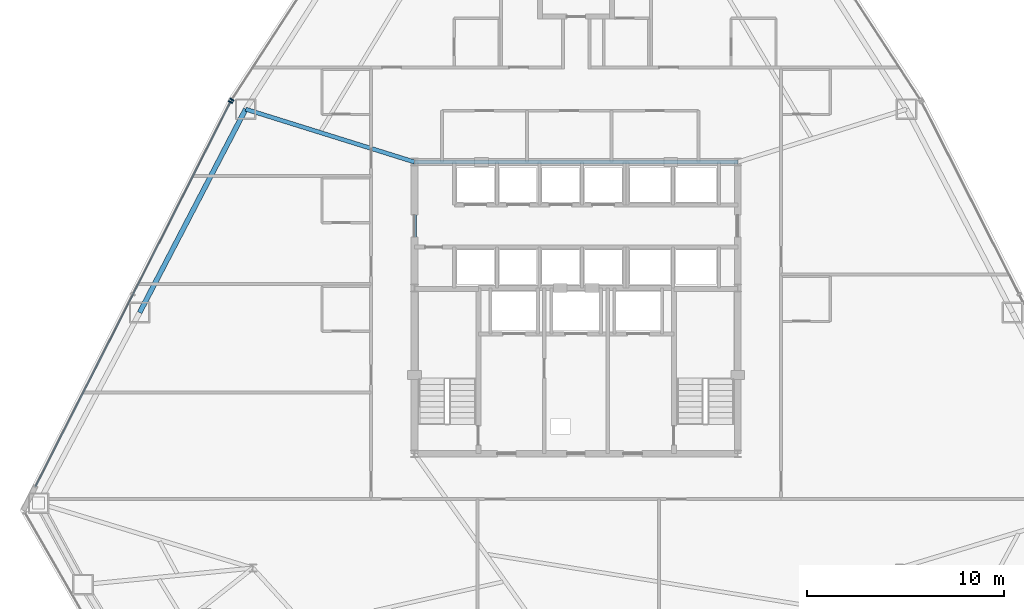
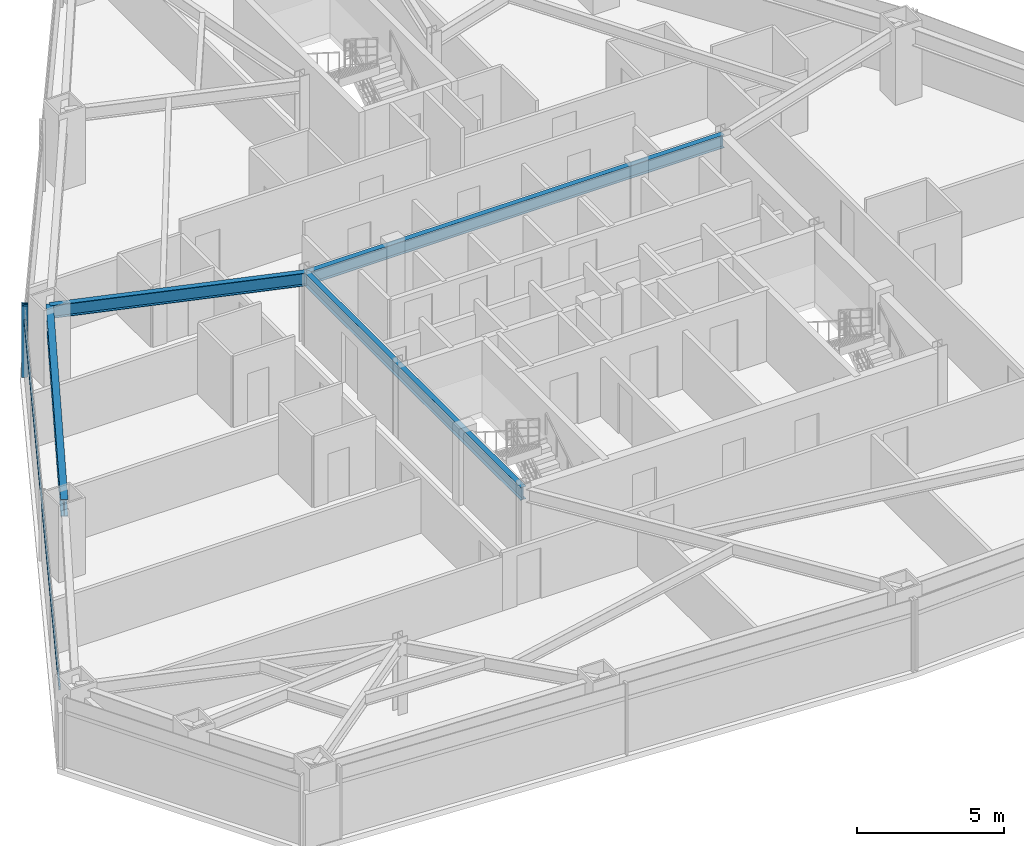
# One storey, part 5 of 12: 4 beams, 3 members, 2 elements without a shape of their own.
"""IFC4 building model written with IfcOpenShell, lengths in metres."""

from ifc_helpers import new_model, si_unit, direction, frame, origin, origin_2d, place, context, subcontext, project, spatial, rectangle, i_section, extrude, source, transform, mapped, material, layer, layer_set, material_profile, profile_set, type_object, type_shapes, element, aggregate, save


model = new_model("IFC4")

# Units and contexts
model_context = context("Model", 3, precision=1e-05, world=origin(), true_north=direction((0.0, 1.0)))
body_context = subcontext(model_context, "Body", "Model", "MODEL_VIEW")
ifc_project = project(units=[si_unit("LENGTHUNIT", "METRE"), si_unit("AREAUNIT", "SQUARE_METRE"), si_unit("VOLUMEUNIT", "CUBIC_METRE"), si_unit("PLANEANGLEUNIT", "RADIAN"), si_unit("MASSUNIT", "GRAM", prefix="KILO")], contexts=[model_context])

# Site, building, storey
site_placement = place(None, origin())
site = spatial("IfcSite", under=ifc_project, at=site_placement, CompositionType="ELEMENT")
building_placement = place(site_placement, origin())
building = spatial("IfcBuilding", under=site, at=building_placement, Name="Varakhsha Concourse Tower", CompositionType="ELEMENT")
storey_placement = place(building_placement, frame((0.0, 0.0, 76.60009765625)))
storey = spatial("IfcBuildingStorey", under=building, at=storey_placement, Name="L21", CompositionType="ELEMENT", Elevation=76.60009765625)

# Beams
ifc_material_1 = material(Name="Structural Steel ASTM A992 Grade 50", Category="steel")
ifc_material_profile_1 = material_profile(ifc_material_1, i_section(OverallWidth=0.2109375, OverallDepth=0.5390625, WebThickness=0.011962890625, FlangeThickness=0.01904296875, at=origin_2d()), Name="W21X73")
ifc_profile_set_1 = profile_set([ifc_material_profile_1], Name="Structural Steel ASTM A992 Grade 50")
beam_type_1 = type_object("IfcBeamType", Name="BM-RAD-W21X73", PredefinedType="BEAM", material=ifc_profile_set_1)
beam_1_placement = place(storey_placement, frame((31.800048828125, 31.199951171875, 2.700439453125), z_axis=(1.0, 0.0, 0.0), x_axis=(0.0, 1.0, 0.0)))
element("IfcBeam", 1, at=beam_1_placement, inside=storey, type_object=beam_type_1, Name="BM-TCORE-L21-CN", PredefinedType="BEAM", context=body_context, shape_type="SweptSolid", body=[
    extrude(i_section(OverallWidth=0.2109375, OverallDepth=0.5390625, WebThickness=0.011962890625, FlangeThickness=0.01904296875, at=origin_2d()), origin(), (0.0, 0.0, 1.0), 16.39990234375),
])
beam_2_placement = place(storey_placement, frame((31.800048828125, 16.39990234375, 2.700439453125), z_axis=(0.0, 1.0, 0.0), x_axis=(-1.0, 0.0, 0.0)))
element("IfcBeam", 2, at=beam_2_placement, inside=storey, type_object=beam_type_1, Name="BM-TCORE-L21-CW", PredefinedType="BEAM", context=body_context, shape_type="SweptSolid", body=[
    extrude(i_section(OverallWidth=0.2109375, OverallDepth=0.5390625, WebThickness=0.011962890625, FlangeThickness=0.01904296875, at=origin_2d()), origin(), (0.0, 0.0, 1.0), 14.800048828125),
])
beam_3_placement = place(storey_placement, frame((31.800048828125, 31.199951171875, 2.700439453125), z_axis=(-0.954407321853, 0.298507393532, 0.0), x_axis=(-0.298507393532, -0.954407321853, 0.0)))
element("IfcBeam", 3, at=beam_3_placement, inside=storey, type_object=beam_type_1, Name="L21 Radial Floor Girder 05", PredefinedType="BEAM", context=body_context, shape_type="SweptSolid", body=[
    extrude(i_section(OverallWidth=0.2109375, OverallDepth=0.5390625, WebThickness=0.011962890625, FlangeThickness=0.01904296875, at=origin_2d()), origin(), (0.0, 0.0, 1.0), 8.97216796875),
])
ifc_material_profile_2 = material_profile(ifc_material_1, i_section(OverallWidth=0.25390625, OverallDepth=0.701904296875, WebThickness=0.014892578125, FlangeThickness=0.028076171875, at=origin_2d()), Name="W27X129")
ifc_profile_set_2 = profile_set([ifc_material_profile_2], Name="Structural Steel ASTM A992 Grade 50")
beam_type_2 = type_object("IfcBeamType", Name="BM-SPAN-W27X129", PredefinedType="SPANDREL", material=ifc_profile_set_2)
beam_4_placement = place(storey_placement, frame((23.237060546875, 33.878173828125, 2.618896484375), z_axis=(-0.46224393277, -0.886752810324, 0.0), x_axis=(0.886752810324, -0.46224393277, 0.0)))
element("IfcBeam", 4, at=beam_4_placement, inside=storey, type_object=beam_type_2, Name="BM-SPAN-L21-05", PredefinedType="SPANDREL", context=body_context, shape_type="SweptSolid", body=[
    extrude(i_section(OverallWidth=0.25390625, OverallDepth=0.701904296875, WebThickness=0.014892578125, FlangeThickness=0.028076171875, at=origin_2d()), origin(), (0.0, 0.0, 1.0), 11.6328125),
])

# Curtain wall, member
ifc_material_2 = material(Name="Anodised Bronze Architectural Aluminium AA 6063-T6", Category="aluminium")
ifc_layer = layer(ifc_material_2, 0.199951171875, Name="CW-SYS-03")
ifc_layer_set = layer_set([ifc_layer], Name="Anodised Bronze Architectural Aluminium AA 6063-T6")
curtain_wall_type = type_object("IfcCurtainWallType", Name="CW-SYS-03", PredefinedType="NOTDEFINED", material=ifc_layer_set)
curtain_wall_1_placement = place(storey_placement, origin())
curtain_wall_1 = element("IfcCurtainWall", 5, at=curtain_wall_1_placement, inside=storey, type_object=curtain_wall_type, Name="L21 Crystal Curtain Wall F3", PredefinedType="NOTDEFINED")
ifc_material_profile_3 = material_profile(ifc_material_2, rectangle(XDim=0.06494140625, YDim=0.159912109375, at=origin_2d()), Name="CWT-160X65")
ifc_profile_set_3 = profile_set([ifc_material_profile_3], Name="Anodised Bronze Architectural Aluminium AA 6063-T6")
member_type_1 = type_object("IfcMemberType", Name="CWT-160X65", PredefinedType="USERDEFINED", material=ifc_profile_set_3)
shared_shape_1 = source(origin(), body_context, "Body", "SweptSolid", [
    extrude(rectangle(XDim=0.06494140625, YDim=0.159912109375, at=origin_2d()), origin(), (0.0, 0.0, 1.0), 21.873779296875),
])
type_shapes(member_type_1, [shared_shape_1])
member_1_placement = place(storey_placement, frame((12.57421875, 14.731689453125, 2.31982421875), z_axis=(0.452269221252, 0.891881467185, 0.0), x_axis=(-0.891881467185, 0.452269221252, 0.0)))
member_1 = element("IfcMember", 6, at=member_1_placement, type_object=member_type_1, Name="CW-L21-F3 Transom 01", ObjectType="TRANSOM", PredefinedType="USERDEFINED", context=body_context, shape_type="MappedRepresentation", body=[
    mapped(shared_shape_1, transform((0.0, 0.0, 0.0), scale=1.0)),
])

curtain_wall_2_placement = place(storey_placement, origin())
curtain_wall_2 = element("IfcCurtainWall", 7, at=curtain_wall_2_placement, inside=storey, type_object=curtain_wall_type, Name="L21 Crystal Curtain Wall F2", PredefinedType="NOTDEFINED")
ifc_material_profile_4 = material_profile(ifc_material_2, rectangle(XDim=0.074951171875, YDim=0.219970703125, at=origin_2d()), Name="CWM-220X75")
ifc_profile_set_4 = profile_set([ifc_material_profile_4], Name="Anodised Bronze Architectural Aluminium AA 6063-T6")
member_type_2 = type_object("IfcMemberType", Name="CWM-220X75", PredefinedType="MULLION", material=ifc_profile_set_4)
shared_shape_2 = source(origin(), body_context, "Body", "SweptSolid", [
    extrude(rectangle(XDim=0.074951171875, YDim=0.219970703125, at=origin_2d()), origin(), (0.0, 0.0, 1.0), 2.969970703125),
])
type_shapes(member_type_2, [shared_shape_2])
member_2_placement = place(storey_placement, frame((22.538330078125, 34.36376953125, 0.0), z_axis=(0.0, 0.0, 1.0), x_axis=(0.546249624122, 0.837622437705, 0.0)))
member_2 = element("IfcMember", 8, at=member_2_placement, type_object=member_type_2, Name="CW-L21-F2 Mullion 00", PredefinedType="MULLION", context=body_context, shape_type="MappedRepresentation", body=[
    mapped(shared_shape_2, transform((0.0, 0.0, 0.0), scale=1.0)),
])
aggregate(curtain_wall_2, [member_2])

# Member
member_3_placement = place(storey_placement, frame((22.467041015625, 34.240478515625, 0.0), z_axis=(0.0, 0.0, 1.0), x_axis=(0.45227438453, 0.891878848891, 0.0)))
member_3 = element("IfcMember", 9, at=member_3_placement, type_object=member_type_2, Name="CW-L21-F3 Mullion 02", PredefinedType="MULLION", context=body_context, shape_type="MappedRepresentation", body=[
    mapped(shared_shape_2, transform((0.0, 0.0, 0.0), scale=1.0)),
])

aggregate(curtain_wall_1, [member_3, member_1])

save(model, "model.ifc")
